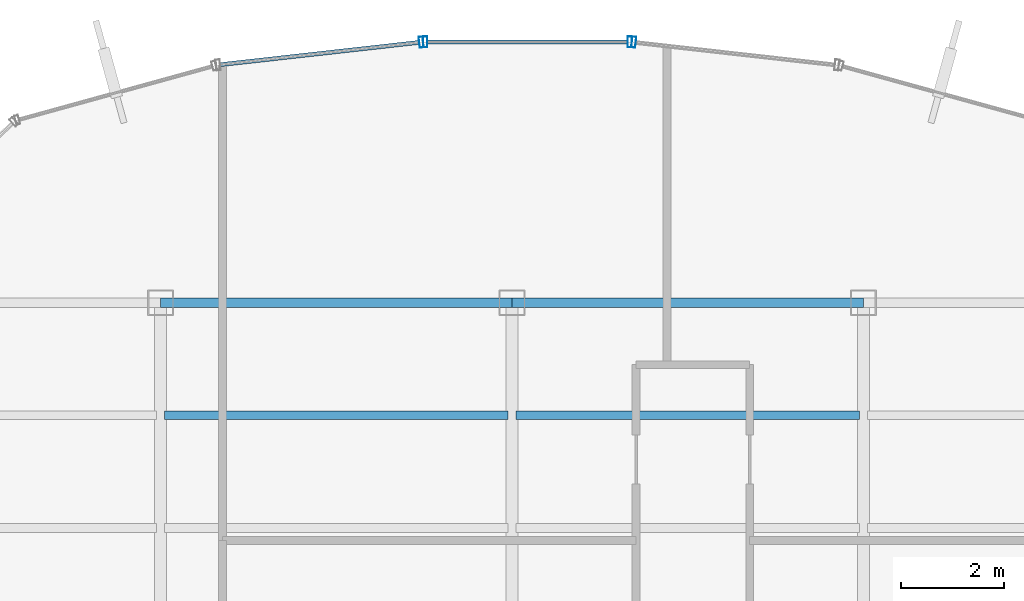
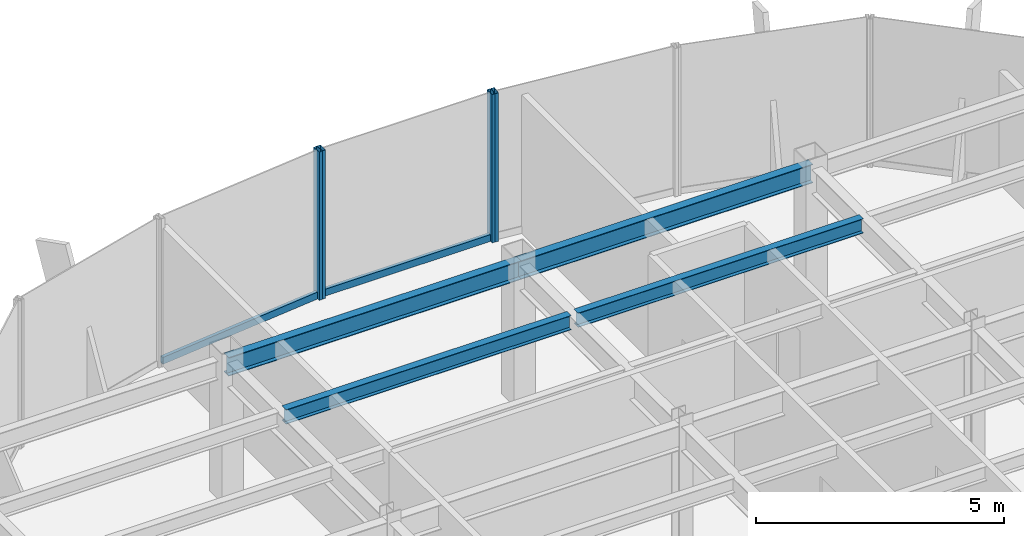
# One storey, part 13 of 22: 6 members, 4 beams, 3 elements without a shape of their own.
"""IFC4 building model written with IfcOpenShell, lengths in metres."""

from ifc_helpers import new_model, si_unit, derived_unit, direction, frame, origin, origin_2d, place, context, subcontext, project, spatial, hollow_rectangle, i_section, extrude, source, transform, mapped, material, material_profile, profile_set, type_object, element, aggregate, save


model = new_model("IFC4")

# Units and contexts
model_context = context("Model", 3, precision=1e-05, world=origin(), true_north=direction((0.0, 1.0)))
body_context = subcontext(model_context, "Body", "Model", "MODEL_VIEW")
ifc_project = project(units=[si_unit("LENGTHUNIT", "METRE"), si_unit("AREAUNIT", "SQUARE_METRE"), si_unit("VOLUMEUNIT", "CUBIC_METRE"), si_unit("PLANEANGLEUNIT", "RADIAN"), si_unit("MASSUNIT", "GRAM", prefix="KILO"), derived_unit("THERMALTRANSMITTANCEUNIT", [(si_unit("POWERUNIT", "WATT"), 1), (si_unit("LENGTHUNIT", "METRE"), -2), (si_unit("THERMODYNAMICTEMPERATUREUNIT", "KELVIN"), -1)])], contexts=[model_context])

# Site, building, storey
site_placement = place(None, origin())
site = spatial("IfcSite", under=ifc_project, at=site_placement, CompositionType="ELEMENT")
building_placement = place(site_placement, origin())
building = spatial("IfcBuilding", under=site, at=building_placement, Name="Skarnbrae Concourse Arena and Tower", CompositionType="ELEMENT")
storey_placement = place(building_placement, frame((0.0, 0.0, 217.800048828125)))
storey = spatial("IfcBuildingStorey", under=building, at=storey_placement, Name="L56", CompositionType="ELEMENT", Elevation=217.800048828125)

# Beams
ifc_material_1 = material(Name="Steel CSA G40.21 350W", Category="steel")
ifc_material_profile_1 = material_profile(ifc_material_1, i_section(OverallWidth=0.19091796875, OverallDepth=0.4599609375, WebThickness=0.010009765625, FlangeThickness=0.01611328125, at=origin_2d()), Name="W460X82")
ifc_profile_set_1 = profile_set([ifc_material_profile_1], Name="Steel CSA G40.21 350W")
beam_type_1 = type_object("IfcBeamType", Name="BM-SPAN-W460X82", PredefinedType="SPANDREL", material=ifc_profile_set_1)
shared_shape_1 = source(origin(), body_context, "Body", "SweptSolid", [
    extrude(i_section(OverallWidth=0.19091796875, OverallDepth=0.4599609375, WebThickness=0.010009765625, FlangeThickness=0.01611328125, at=origin_2d()), origin(), (0.0, 0.0, 1.0), 6.800048828125),
])
for number, where, z_axis, x_axis, name in (
    (1, (14.39990234375, 34.39990234375, 3.169921875), (1.0, 0.0, 0.0), (0.0, 1.0, 0.0), "L56 Perimeter spandrel Y34.4-2"),
    (2, (21.199951171875, 34.39990234375, 3.169921875), (1.0, 0.0, 0.0), (0.0, 1.0, 0.0), "L56 Perimeter spandrel Y34.4-3"),
):
    element("IfcBeam", number, at=place(storey_placement, frame(where, z_axis=z_axis, x_axis=x_axis)), inside=storey, type_object=beam_type_1, Name=name, PredefinedType="SPANDREL", context=body_context, shape_type="MappedRepresentation", body=[
        mapped(shared_shape_1, transform((0.0, 0.0, 0.0))),
    ])
ifc_material_profile_2 = material_profile(ifc_material_1, i_section(OverallWidth=0.1708984375, OverallDepth=0.35498046875, WebThickness=0.007080078125, FlangeThickness=0.01171875, at=origin_2d()), Name="W360X51")
ifc_profile_set_2 = profile_set([ifc_material_profile_2], Name="Steel CSA G40.21 350W")
beam_type_2 = type_object("IfcBeamType", Name="BM-JOIST-W360X51", PredefinedType="JOIST", material=ifc_profile_set_2)
shared_shape_2 = source(origin(), body_context, "Body", "SweptSolid", [
    extrude(i_section(OverallWidth=0.1708984375, OverallDepth=0.35498046875, WebThickness=0.007080078125, FlangeThickness=0.01171875, at=origin_2d()), origin(), (0.0, 0.0, 1.0), 6.64013671875),
])
beam_1_placement = place(storey_placement, frame((14.47998046875, 32.221923828125, 3.222412109375), z_axis=(1.0, 0.0, 0.0), x_axis=(0.0, 1.0, 0.0)))
element("IfcBeam", 3, at=beam_1_placement, inside=storey, type_object=beam_type_2, Name="L56 Secondary floor joist 3.2.2", PredefinedType="JOIST", context=body_context, shape_type="MappedRepresentation", body=[
    mapped(shared_shape_2, transform((0.0, 0.0, 0.0))),
])
shared_shape_3 = source(origin(), body_context, "Body", "SweptSolid", [
    extrude(i_section(OverallWidth=0.1708984375, OverallDepth=0.35498046875, WebThickness=0.007080078125, FlangeThickness=0.01171875, at=origin_2d()), origin(), (0.0, 0.0, 1.0), 6.639892578125),
])
beam_2_placement = place(storey_placement, frame((21.280029296875, 32.221923828125, 3.222412109375), z_axis=(1.0, 0.0, 0.0), x_axis=(0.0, 1.0, 0.0)))
element("IfcBeam", 4, at=beam_2_placement, inside=storey, type_object=beam_type_2, Name="L56 Secondary floor joist 3.2.3", PredefinedType="JOIST", context=body_context, shape_type="MappedRepresentation", body=[
    mapped(shared_shape_3, transform((0.0, 0.0, 0.0))),
])

# Curtain wall, member
ifc_material_2 = material(Name="Bronze anodised aluminium 6063-T6", Category="aluminium")
curtain_wall_type = type_object("IfcCurtainWallType", Name="CW-SYS-03-PORTAL", PredefinedType="USERDEFINED", material=ifc_material_2)
curtain_wall_1_placement = place(storey_placement, origin())
curtain_wall_1 = element("IfcCurtainWall", 5, at=curtain_wall_1_placement, inside=storey, type_object=curtain_wall_type, Name="L56 Unitised curtain wall CW-L56-E10", ObjectType="UNITISED CURTAIN WALL", PredefinedType="USERDEFINED")
ifc_material_profile_3 = material_profile(ifc_material_2, hollow_rectangle(XDim=0.080078125, YDim=0.2099609375, WallThickness=0.00439453125, at=origin_2d()), Name="ALU-MULL-80X210")
ifc_profile_set_3 = profile_set([ifc_material_profile_3], Name="Bronze anodised aluminium 6063-T6")
member_type_1 = type_object("IfcMemberType", Name="CWM-CW-03", PredefinedType="MULLION", material=ifc_profile_set_3)
shared_shape_4 = source(origin(), body_context, "Body", "SweptSolid", [
    extrude(hollow_rectangle(XDim=0.080078125, YDim=0.2099609375, WallThickness=0.00439453125, at=origin_2d()), origin(), (0.0, 0.0, 1.0), 3.64990234375),
])
member_1_placement = place(storey_placement, frame((23.556884765625, 39.442138671875, 0.0), z_axis=(0.0, 0.0, 1.0), x_axis=(-0.993768891873, 0.111460259941, 0.0)))
member_1 = element("IfcMember", 6, at=member_1_placement, type_object=member_type_1, Name="CW-L56-E10 Mullion 2", PredefinedType="MULLION", context=body_context, shape_type="MappedRepresentation", body=[
    mapped(shared_shape_4, transform((0.0, 0.0, 0.0))),
])
aggregate(curtain_wall_1, [member_1])

# Curtain wall, members
curtain_wall_2_placement = place(storey_placement, origin())
curtain_wall_2 = element("IfcCurtainWall", 7, at=curtain_wall_2_placement, inside=storey, type_object=curtain_wall_type, Name="L56 Unitised curtain wall CW-L56-E11", ObjectType="UNITISED CURTAIN WALL", PredefinedType="USERDEFINED")
member_2_placement = place(storey_placement, frame((23.477294921875, 39.44677734375, 0.0), z_axis=(0.0, 0.0, 1.0), x_axis=(-1.0, 0.0, 0.0)))
member_2 = element("IfcMember", 8, at=member_2_placement, type_object=member_type_1, Name="CW-L56-E11 Mullion 1", PredefinedType="MULLION", context=body_context, shape_type="MappedRepresentation", body=[
    mapped(shared_shape_4, transform((0.0, 0.0, 0.0))),
])
member_3_placement = place(storey_placement, frame((19.522705078125, 39.44677734375, 0.0), z_axis=(0.0, 0.0, 1.0), x_axis=(-1.0, 0.0, 0.0)))
member_3 = element("IfcMember", 9, at=member_3_placement, type_object=member_type_1, Name="CW-L56-E11 Mullion 2", PredefinedType="MULLION", context=body_context, shape_type="MappedRepresentation", body=[
    mapped(shared_shape_4, transform((0.0, 0.0, 0.0))),
])

curtain_wall_3_placement = place(storey_placement, origin())
curtain_wall_3 = element("IfcCurtainWall", 10, at=curtain_wall_3_placement, inside=storey, type_object=curtain_wall_type, Name="L56 Unitised curtain wall CW-L56-E12", ObjectType="UNITISED CURTAIN WALL", PredefinedType="USERDEFINED")
member_4_placement = place(storey_placement, frame((19.443115234375, 39.442138671875, 0.0), z_axis=(0.0, 0.0, 1.0), x_axis=(-0.993768891873, -0.111460259941, 0.0)))
member_4 = element("IfcMember", 11, at=member_4_placement, type_object=member_type_1, Name="CW-L56-E12 Mullion 1", PredefinedType="MULLION", context=body_context, shape_type="MappedRepresentation", body=[
    mapped(shared_shape_4, transform((0.0, 0.0, 0.0))),
])
ifc_material_profile_4 = material_profile(ifc_material_2, hollow_rectangle(XDim=0.080078125, YDim=0.169921875, WallThickness=0.00439453125, at=origin_2d()), Name="ALU-TRAN-80X170")
ifc_profile_set_4 = profile_set([ifc_material_profile_4], Name="Bronze anodised aluminium 6063-T6")
member_type_2 = type_object("IfcMemberType", Name="CWT-CW-03", PredefinedType="USERDEFINED", material=ifc_profile_set_4)
shared_shape_5 = source(origin(), body_context, "Body", "SweptSolid", [
    extrude(hollow_rectangle(XDim=0.080078125, YDim=0.169921875, WallThickness=0.00439453125, at=origin_2d()), origin(), (0.0, 0.0, 1.0), 3.873779296875),
])
member_5_placement = place(storey_placement, frame((19.4033203125, 39.437744140625, 0.0849609375), z_axis=(-0.993772558096, -0.111427567397, 0.0), x_axis=(0.111427567397, -0.993772558096, 0.0)))
member_5 = element("IfcMember", 12, at=member_5_placement, type_object=member_type_2, Name="CW-L56-E12 Transom 1", ObjectType="TRANSOM", PredefinedType="USERDEFINED", context=body_context, shape_type="MappedRepresentation", body=[
    mapped(shared_shape_5, transform((0.0, 0.0, 0.0))),
])
aggregate(curtain_wall_3, [member_4, member_5])

# Member
shared_shape_6 = source(origin(), body_context, "Body", "SweptSolid", [
    extrude(hollow_rectangle(XDim=0.080078125, YDim=0.169921875, WallThickness=0.00439453125, at=origin_2d()), origin(), (0.0, 0.0, 1.0), 3.87451171875),
])
member_6_placement = place(storey_placement, frame((23.437255859375, 39.44677734375, 0.0849609375), z_axis=(-1.0, 0.0, 0.0), x_axis=(0.0, -1.0, 0.0)))
member_6 = element("IfcMember", 13, at=member_6_placement, type_object=member_type_2, Name="CW-L56-E11 Transom 1", ObjectType="TRANSOM", PredefinedType="USERDEFINED", context=body_context, shape_type="MappedRepresentation", body=[
    mapped(shared_shape_6, transform((0.0, 0.0, 0.0))),
])

aggregate(curtain_wall_2, [member_2, member_3, member_6])

save(model, "model.ifc")
